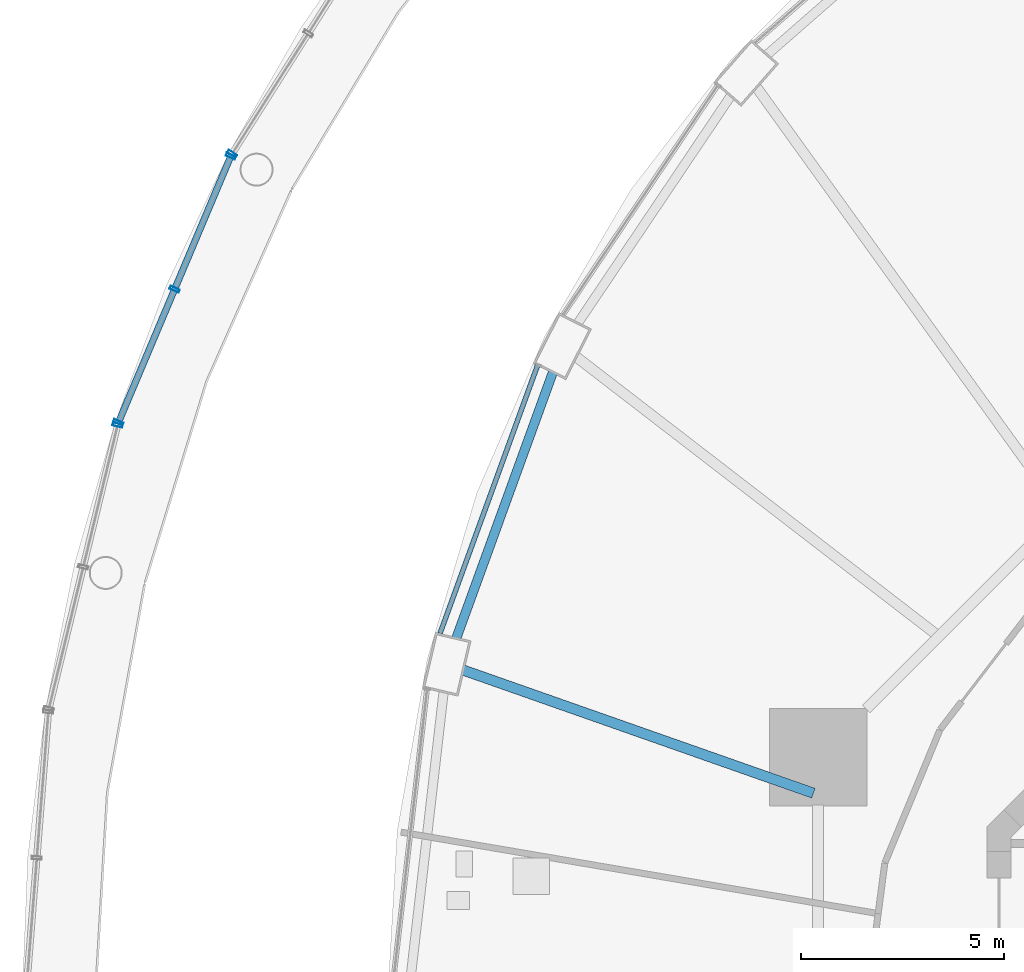
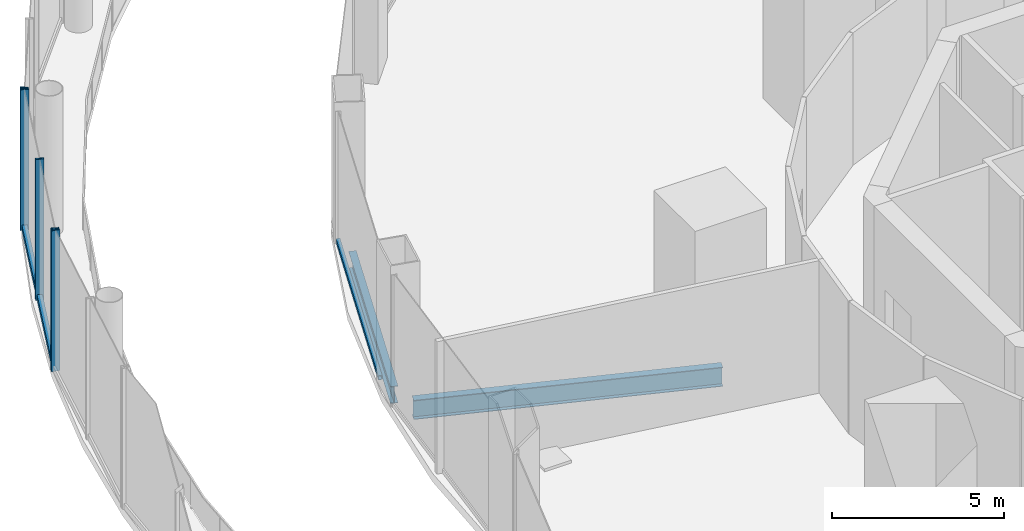
# One storey, part 20 of 47: 7 members, 2 beams, 4 elements without a shape of their own.
"""IFC4 building model written with IfcOpenShell, lengths in metres."""

from ifc_helpers import new_model, si_unit, direction, frame, origin, origin_2d, place, context, subcontext, project, spatial, hollow_rectangle, i_section, extrude, material, layer, layer_set, material_profile, profile_set, type_object, element, aggregate, save


model = new_model("IFC4")

# Units and contexts
model_context = context("Model", 3, precision=1e-05, world=origin(), true_north=direction((0.0, 1.0)))
body_context = subcontext(model_context, "Body", "Model", "MODEL_VIEW")
ifc_project = project(units=[si_unit("LENGTHUNIT", "METRE"), si_unit("AREAUNIT", "SQUARE_METRE"), si_unit("VOLUMEUNIT", "CUBIC_METRE"), si_unit("PLANEANGLEUNIT", "RADIAN"), si_unit("MASSUNIT", "GRAM", prefix="KILO")], contexts=[model_context])

# Site, building, storey
site_placement = place(None, origin())
site = spatial("IfcSite", under=ifc_project, at=site_placement, CompositionType="ELEMENT")
building_placement = place(site_placement, origin())
building = spatial("IfcBuilding", under=site, at=building_placement, Name="Nagisa Residences", CompositionType="ELEMENT")
storey_placement = place(building_placement, frame((0.0, 0.0, 7.0)))
storey = spatial("IfcBuildingStorey", under=building, at=storey_placement, Name="L01", CompositionType="ELEMENT", Elevation=7.0)

# Curtain wall, member
ifc_material_1 = material(Name="Stainless steel curtain wall system", Category="steel")
ifc_layer_1 = layer(ifc_material_1, 0.159912109375)
ifc_layer_set_1 = layer_set([ifc_layer_1], Name="CW3 CURTAIN WALL")
curtain_wall_type_1 = type_object("IfcCurtainWallType", Name="CW3 CURTAIN WALL", PredefinedType="NOTDEFINED", material=ifc_layer_set_1)
curtain_wall_1_placement = place(storey_placement, origin())
curtain_wall_1 = element("IfcCurtainWall", 1, at=curtain_wall_1_placement, inside=storey, type_object=curtain_wall_type_1, Name="cw:CW3:L01:14", PredefinedType="NOTDEFINED")
ifc_material_2 = material(Name="Stainless steel", Category="steel")
ifc_material_profile_1 = material_profile(ifc_material_2, hollow_rectangle(XDim=0.25, YDim=0.080078125, WallThickness=0.008056640625, at=origin_2d()), Name="CW3 MULLION 250x80")
ifc_profile_set_1 = profile_set([ifc_material_profile_1], Name="Stainless steel")
member_type_1 = type_object("IfcMemberType", Name="CW3 MULLION 250x80", PredefinedType="MULLION", material=ifc_profile_set_1)
member_1_placement = place(storey_placement, frame((-29.219970703125, 20.990966796875, 0.0), z_axis=(0.0, 0.0, 1.0), x_axis=(0.844747368001, -0.535165286856, 0.0)))
member_1 = element("IfcMember", 2, at=member_1_placement, type_object=member_type_1, Name="CW3 mullion", PredefinedType="MULLION", context=body_context, shape_type="SweptSolid", body=[
    extrude(hollow_rectangle(XDim=0.25, YDim=0.080078125, WallThickness=0.008056640625, at=origin_2d()), origin(), (0.0, 0.0, 1.0), 5.0),
])
aggregate(curtain_wall_1, [member_1])

# Curtain wall, members
curtain_wall_2_placement = place(storey_placement, origin())
curtain_wall_2 = element("IfcCurtainWall", 3, at=curtain_wall_2_placement, inside=storey, type_object=curtain_wall_type_1, Name="cw:CW3:L01:15", PredefinedType="NOTDEFINED")
member_2_placement = place(storey_placement, frame((-29.250732421875, 20.93212890625, 0.0), z_axis=(0.0, 0.0, 1.0), x_axis=(0.921356767819, -0.388718029417, 0.0)))
member_2 = element("IfcMember", 4, at=member_2_placement, type_object=member_type_1, Name="CW3 mullion", PredefinedType="MULLION", context=body_context, shape_type="SweptSolid", body=[
    extrude(hollow_rectangle(XDim=0.25, YDim=0.080078125, WallThickness=0.008056640625, at=origin_2d()), origin(), (0.0, 0.0, 1.0), 5.0),
])
member_3_placement = place(storey_placement, frame((-30.635009765625, 17.6513671875, 0.0), z_axis=(0.0, 0.0, 1.0), x_axis=(0.921356767819, -0.388718029417, 0.0)))
member_3 = element("IfcMember", 5, at=member_3_placement, type_object=member_type_1, Name="CW3 mullion", PredefinedType="MULLION", context=body_context, shape_type="SweptSolid", body=[
    extrude(hollow_rectangle(XDim=0.25, YDim=0.080078125, WallThickness=0.008056640625, at=origin_2d()), origin(), (0.0, 0.0, 1.0), 5.0),
])
member_4_placement = place(storey_placement, frame((-32.01904296875, 14.37060546875, 0.0), z_axis=(0.0, 0.0, 1.0), x_axis=(0.921356767819, -0.388718029417, 0.0)))
member_4 = element("IfcMember", 6, at=member_4_placement, type_object=member_type_1, Name="CW3 mullion", PredefinedType="MULLION", context=body_context, shape_type="SweptSolid", body=[
    extrude(hollow_rectangle(XDim=0.25, YDim=0.080078125, WallThickness=0.008056640625, at=origin_2d()), origin(), (0.0, 0.0, 1.0), 5.0),
])

# Curtain wall, member
curtain_wall_3_placement = place(storey_placement, origin())
curtain_wall_3 = element("IfcCurtainWall", 7, at=curtain_wall_3_placement, inside=storey, type_object=curtain_wall_type_1, Name="cw:CW3:L01:16", PredefinedType="NOTDEFINED")
member_5_placement = place(storey_placement, frame((-32.0400390625, 14.30712890625, 0.0), z_axis=(0.0, 0.0, 1.0), x_axis=(0.971848775146, -0.235605514043, 0.0)))
member_5 = element("IfcMember", 8, at=member_5_placement, type_object=member_type_1, Name="CW3 mullion", PredefinedType="MULLION", context=body_context, shape_type="SweptSolid", body=[
    extrude(hollow_rectangle(XDim=0.25, YDim=0.080078125, WallThickness=0.008056640625, at=origin_2d()), origin(), (0.0, 0.0, 1.0), 5.0),
])
aggregate(curtain_wall_3, [member_5])

# Member
ifc_material_3 = material(Name="Stainless steel", Category="steel")
ifc_material_profile_2 = material_profile(ifc_material_3, hollow_rectangle(XDim=0.159912109375, YDim=0.199951171875, WallThickness=0.008056640625, at=origin_2d()), Name="CW3 TRANSOM 160x200")
ifc_profile_set_2 = profile_set([ifc_material_profile_2], Name="Stainless steel")
member_type_2 = type_object("IfcMemberType", Name="CW3 TRANSOM 160x200", PredefinedType="USERDEFINED", material=ifc_profile_set_2)
member_6_placement = place(storey_placement, frame((-29.2353515625, 20.968994140625, 0.10009765625), z_axis=(-0.388708599467, -0.921360746234, 0.0), x_axis=(0.921360746234, -0.388708599467, 0.0)))
member_6 = element("IfcMember", 9, at=member_6_placement, type_object=member_type_2, Name="CW3 transom", ObjectType="TRANSOM", PredefinedType="USERDEFINED", context=body_context, shape_type="SweptSolid", body=[
    extrude(hollow_rectangle(XDim=0.159912109375, YDim=0.199951171875, WallThickness=0.008056640625, at=origin_2d()), origin(), (0.0, 0.0, 1.0), 7.20166015625),
])

aggregate(curtain_wall_2, [member_2, member_3, member_4, member_6])

# Curtain wall, member
ifc_material_4 = material(Name="Stainless steel curtain wall system", Category="steel")
ifc_layer_2 = layer(ifc_material_4, 0.159912109375)
ifc_layer_set_2 = layer_set([ifc_layer_2], Name="CW6 CURTAIN WALL")
curtain_wall_type_2 = type_object("IfcCurtainWallType", Name="CW6 CURTAIN WALL", PredefinedType="NOTDEFINED", material=ifc_layer_set_2)
curtain_wall_4_placement = place(storey_placement, origin())
curtain_wall_4 = element("IfcCurtainWall", 10, at=curtain_wall_4_placement, inside=storey, type_object=curtain_wall_type_2, Name="cw:CW6:L01:20", PredefinedType="NOTDEFINED")
ifc_material_5 = material(Name="Stainless steel", Category="steel")
ifc_material_profile_3 = material_profile(ifc_material_5, hollow_rectangle(XDim=0.1201171875, YDim=0.14990234375, WallThickness=0.008056640625, at=origin_2d()), Name="CW6 TRANSOM 120x150")
ifc_profile_set_3 = profile_set([ifc_material_profile_3], Name="Stainless steel")
member_type_3 = type_object("IfcMemberType", Name="CW6 TRANSOM 120x150", PredefinedType="USERDEFINED", material=ifc_profile_set_3)
member_7_placement = place(storey_placement, frame((-21.678955078125, 15.81494140625, 0.074951171875), z_axis=(-0.342039719013, -0.939685495587, 0.0), x_axis=(0.939685495587, -0.342039719013, 0.0)))
member_7 = element("IfcMember", 11, at=member_7_placement, type_object=member_type_3, Name="CW6 transom", ObjectType="TRANSOM", PredefinedType="USERDEFINED", context=body_context, shape_type="SweptSolid", body=[
    extrude(hollow_rectangle(XDim=0.1201171875, YDim=0.14990234375, WallThickness=0.008056640625, at=origin_2d()), origin(), (0.0, 0.0, 1.0), 7.070068359375),
])
aggregate(curtain_wall_4, [member_7])

# Beams
ifc_material_6 = material(Name="Steel ASTM A572 Gr 50", Category="steel")
ifc_material_profile_4 = material_profile(ifc_material_6, i_section(OverallWidth=0.22802734375, OverallDepth=0.60302734375, WebThickness=0.010498046875, FlangeThickness=0.014892578125, at=origin_2d()), Name="W610x101")
ifc_profile_set_4 = profile_set([ifc_material_profile_4], Name="Steel ASTM A572 Gr 50")
beam_type_1 = type_object("IfcBeamType", Name="Perimeter ring beam W610x101", PredefinedType="BEAM", material=ifc_profile_set_4)
beam_1_placement = place(storey_placement, frame((-21.315673828125, 15.60595703125, -0.6015625), z_axis=(-0.341411143183, -0.939914055279, 0.0), x_axis=(0.939914055279, -0.341411143183, 0.0)))
element("IfcBeam", 12, at=beam_1_placement, inside=storey, type_object=beam_type_1, Name="beam:L01:pb11", PredefinedType="BEAM", context=body_context, shape_type="SweptSolid", body=[
    extrude(i_section(OverallWidth=0.22802734375, OverallDepth=0.60302734375, WebThickness=0.010498046875, FlangeThickness=0.014892578125, at=origin_2d()), origin(), (0.0, 0.0, 1.0), 6.96923828125),
])
ifc_material_7 = material(Name="Steel ASTM A572 Gr 50", Category="steel")
ifc_material_profile_5 = material_profile(ifc_material_7, i_section(OverallWidth=0.25390625, OverallDepth=0.68408203125, WebThickness=0.012451171875, FlangeThickness=0.018798828125, at=origin_2d()), Name="W690x140")
ifc_profile_set_5 = profile_set([ifc_material_profile_5], Name="Steel ASTM A572 Gr 50")
beam_type_2 = type_object("IfcBeamType", Name="Radial beam W690x140", PredefinedType="BEAM", material=ifc_profile_set_5)
beam_2_placement = place(storey_placement, frame((-23.520751953125, 8.26806640625, -0.64208984375), z_axis=(0.943414535235, -0.331615763659, 0.0), x_axis=(0.331615763659, 0.943414535235, 0.0)))
element("IfcBeam", 13, at=beam_2_placement, inside=storey, type_object=beam_type_2, Name="beam:L01:rb12", PredefinedType="BEAM", context=body_context, shape_type="SweptSolid", body=[
    extrude(i_section(OverallWidth=0.25390625, OverallDepth=0.68408203125, WebThickness=0.012451171875, FlangeThickness=0.018798828125, at=origin_2d()), origin(), (0.0, 0.0, 1.0), 9.142333984375),
])

save(model, "model.ifc")
